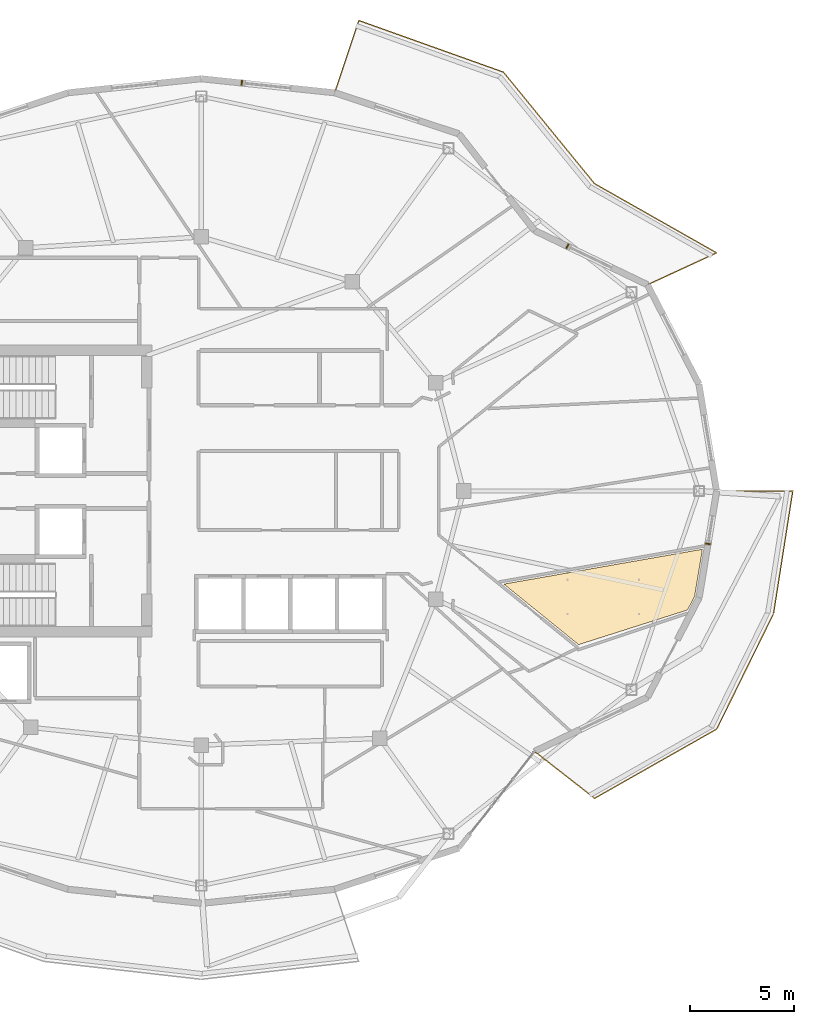
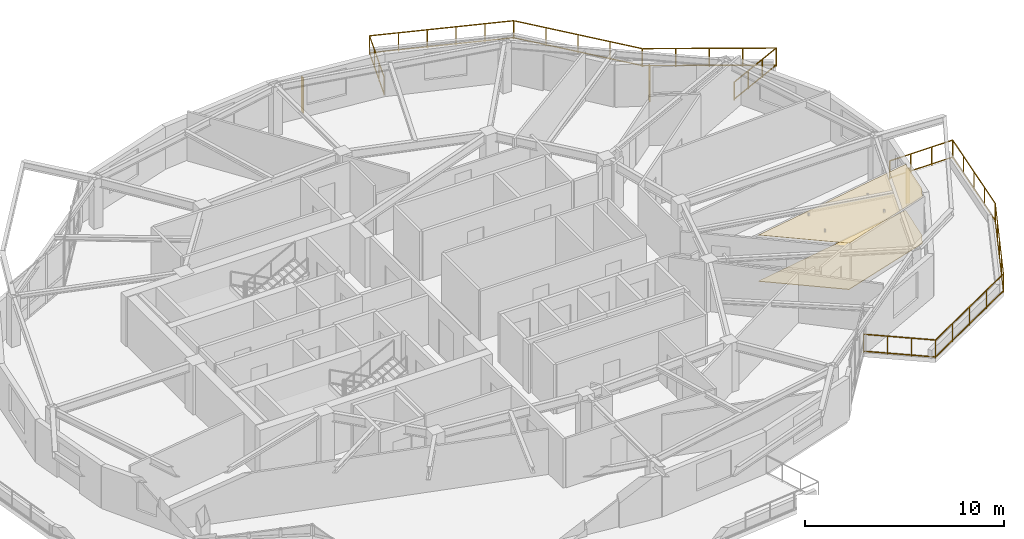
# One storey, part 16 of 16: 3 shading devices, 2 coverings, 2 railings.
"""IFC4 building model written with IfcOpenShell, lengths in metres."""

from ifc_helpers import new_model, si_unit, direction, frame, origin, origin_2d, place, context, subcontext, project, spatial, polyline, rectangle, outline, extrude, material, layer, layer_set, type_object, element, save


model = new_model("IFC4")

# Units and contexts
model_context = context("Model", 3, precision=1e-05, world=origin(), true_north=direction((0.0, 1.0)))
body_context = subcontext(model_context, "Body", "Model", "MODEL_VIEW")
ifc_project = project(units=[si_unit("LENGTHUNIT", "METRE"), si_unit("AREAUNIT", "SQUARE_METRE"), si_unit("VOLUMEUNIT", "CUBIC_METRE"), si_unit("PLANEANGLEUNIT", "RADIAN"), si_unit("MASSUNIT", "GRAM", prefix="KILO")], contexts=[model_context])

# Site, building, storey
site_placement = place(None, origin())
site = spatial("IfcSite", under=ifc_project, at=site_placement, CompositionType="ELEMENT")
building_placement = place(site_placement, origin())
building = spatial("IfcBuilding", under=site, at=building_placement, Name="Kolvaren Gate Tower and Convention Centre", CompositionType="ELEMENT")
storey_placement = place(building_placement, frame((0.0, 0.0, 219.5)))
storey = spatial("IfcBuildingStorey", under=building, at=storey_placement, Name="L58", CompositionType="ELEMENT", Elevation=219.5)

# Coverings
ifc_material_1 = material(Name="Perforated Mineral-Fibre Acoustic Ceiling Tile 18 mm", Category="gypsum")
ifc_layer_1 = layer(ifc_material_1, 0.01806640625)
ifc_layer_set_1 = layer_set([ifc_layer_1], Name="Perforated Mineral-Fibre Acoustic Ceiling Tile 18 mm")
covering_type_1 = type_object("IfcCoveringType", Name="ARCH-COV-CEIL-18", PredefinedType="CEILING", material=ifc_layer_set_1)
covering_1_placement = place(storey_placement, frame((0.0, 0.0, 2.85009765625)))
element("IfcCovering", 1, at=covering_1_placement, inside=storey, type_object=covering_type_1, Name="Resident Sauna and Wellness Spa Acoustic Suspended Ceiling", PredefinedType="CEILING", context=body_context, shape_type="SweptSolid", body=[
    extrude(outline(polyline([(48.2470703125, 19.6220703125), (44.657958984375, 22.530029296875), (54.19189453125, 24.2041015625), (53.820068359375, 21.946044921875), (53.47900390625, 21.2880859375), (48.2470703125, 19.6220703125)])), origin(), (0.0, 0.0, 1.0), 0.017822265625),
])
ifc_material_2 = material(Name="Honed Sabana Limestone Terrazzo Flooring 30 mm", Category="masonry")
ifc_layer_2 = layer(ifc_material_2, 0.030029296875)
ifc_layer_set_2 = layer_set([ifc_layer_2], Name="Honed Sabana Limestone Terrazzo Flooring 30 mm")
covering_type_2 = type_object("IfcCoveringType", Name="ARCH-COV-FLR-30", PredefinedType="FLOORING", material=ifc_layer_set_2)
covering_2_placement = place(storey_placement, origin())
element("IfcCovering", 2, at=covering_2_placement, inside=storey, type_object=covering_type_2, Name="Resident Sauna and Wellness Spa Interior Finish Flooring", PredefinedType="FLOORING", context=body_context, shape_type="SweptSolid", body=[
    extrude(outline(polyline([(48.2470703125, 19.6220703125), (44.657958984375, 22.530029296875), (54.19189453125, 24.2041015625), (53.820068359375, 21.946044921875), (53.47900390625, 21.2880859375), (48.2470703125, 19.6220703125)])), origin(), (0.0, 0.0, 1.0), 0.030029296875),
])

# Railings
ifc_material_3 = material(Name="Brushed Stainless Steel Grade 316L", Category="steel")
railing_type = type_object("IfcRailingType", Name="ARCH-RL-GUARD-1150", PredefinedType="GUARDRAIL", material=ifc_material_3)
railing_1_placement = place(storey_placement, frame((51.55908203125, 36.89990234375, 0.0)))
element("IfcRailing", 3, at=railing_1_placement, inside=storey, type_object=railing_type, Name="Tower L58 Terrace Perimeter Guardrail GR-1", PredefinedType="GUARDRAIL", context=body_context, shape_type="SweptSolid", body=[
    extrude(rectangle(XDim=0.048095703125, YDim=0.048095703125, at=origin_2d()), frame((0.025390625, 0.01171875, 1.1259765625), z_axis=(0.907820723829, 0.419358478377, 0.0), x_axis=(-0.419358478377, 0.907820723829, 0.0)), (0.0, 0.0, 1.0), 3.60400390625),
    extrude(rectangle(XDim=0.048095703125, YDim=0.048095703125, at=origin_2d()), frame((0.025390625, 0.01171875, 0.083984375), z_axis=(0.907820723829, 0.419358478377, 0.0), x_axis=(-0.419358478377, 0.907820723829, 0.0)), (0.0, 0.0, 1.0), 3.60400390625),
    extrude(rectangle(XDim=0.048095703125, YDim=0.048095703125, at=origin_2d()), frame((3.29833984375, 1.548828125, 1.1259765625), z_axis=(-0.869876155964, 0.493270182846, 0.0), x_axis=(-0.493270182846, -0.869876155964, 0.0)), (0.0, 0.0, 1.0), 6.6865234375),
    extrude(rectangle(XDim=0.048095703125, YDim=0.048095703125, at=origin_2d()), frame((3.29833984375, 1.548828125, 0.083984375), z_axis=(-0.869876155964, 0.493270182846, 0.0), x_axis=(-0.493270182846, -0.869876155964, 0.0)), (0.0, 0.0, 1.0), 6.6865234375),
    extrude(rectangle(XDim=0.048095703125, YDim=0.048095703125, at=origin_2d()), frame((-2.560302734375, 4.882568359375, 1.1259765625), z_axis=(-0.632718487063, 0.77438189295, 0.0), x_axis=(-0.77438189295, -0.632718487063, 0.0)), (0.0, 0.0, 1.0), 6.858154296875),
    extrude(rectangle(XDim=0.048095703125, YDim=0.048095703125, at=origin_2d()), frame((-2.560302734375, 4.882568359375, 0.083984375), z_axis=(-0.632718487063, 0.77438189295, 0.0), x_axis=(-0.77438189295, -0.632718487063, 0.0)), (0.0, 0.0, 1.0), 6.858154296875),
    extrude(rectangle(XDim=0.048095703125, YDim=0.048095703125, at=origin_2d()), frame((-6.943603515625, 10.224609375, 1.1259765625), z_axis=(-0.941783827204, 0.336219010197, 0.0), x_axis=(-0.336219010197, -0.941783827204, 0.0)), (0.0, 0.0, 1.0), 7.322265625),
    extrude(rectangle(XDim=0.048095703125, YDim=0.048095703125, at=origin_2d()), frame((-6.943603515625, 10.224609375, 0.083984375), z_axis=(-0.941783827204, 0.336219010197, 0.0), x_axis=(-0.336219010197, -0.941783827204, 0.0)), (0.0, 0.0, 1.0), 7.322265625),
    extrude(rectangle(XDim=0.048095703125, YDim=0.048095703125, at=origin_2d()), frame((-13.874755859375, 12.669189453125, 1.1259765625), z_axis=(-0.317588247294, -0.948228719867, 0.0), x_axis=(0.948228719867, -0.317588247294, 0.0)), (0.0, 0.0, 1.0), 3.603759765625),
    extrude(rectangle(XDim=0.048095703125, YDim=0.048095703125, at=origin_2d()), frame((-13.874755859375, 12.669189453125, 0.083984375), z_axis=(-0.317588247294, -0.948228719867, 0.0), x_axis=(0.948228719867, -0.317588247294, 0.0)), (0.0, 0.0, 1.0), 3.603759765625),
    extrude(rectangle(XDim=0.0419921875, YDim=0.0419921875, at=origin_2d()), origin(), (0.0, 0.0, 1.0), 1.14990234375),
    extrude(rectangle(XDim=0.0419921875, YDim=0.0419921875, at=origin_2d()), frame((3.32275390625, 1.534912109375, 0.0)), (0.0, 0.0, 1.0), 1.14990234375),
    extrude(rectangle(XDim=0.0419921875, YDim=0.0419921875, at=origin_2d()), frame((1.107666015625, 0.51171875, 0.0)), (0.0, 0.0, 1.0), 1.099853515625),
    extrude(rectangle(XDim=0.0419921875, YDim=0.0419921875, at=origin_2d()), frame((2.215087890625, 1.023193359375, 0.0)), (0.0, 0.0, 1.0), 1.099853515625),
    extrude(rectangle(XDim=0.0419921875, YDim=0.0419921875, at=origin_2d()), frame((-2.54248046875, 4.86083984375, 0.0)), (0.0, 0.0, 1.0), 1.14990234375),
    extrude(rectangle(XDim=0.0419921875, YDim=0.0419921875, at=origin_2d()), frame((1.8564453125, 2.366455078125, 0.0)), (0.0, 0.0, 1.0), 1.099853515625),
    extrude(rectangle(XDim=0.0419921875, YDim=0.0419921875, at=origin_2d()), frame((0.39013671875, 3.19775390625, 0.0)), (0.0, 0.0, 1.0), 1.099853515625),
    extrude(rectangle(XDim=0.0419921875, YDim=0.0419921875, at=origin_2d()), frame((-1.076171875, 4.029296875, 0.0)), (0.0, 0.0, 1.0), 1.099853515625),
    extrude(rectangle(XDim=0.0419921875, YDim=0.0419921875, at=origin_2d()), frame((-6.917236328125, 10.215087890625, 0.0)), (0.0, 0.0, 1.0), 1.14990234375),
    extrude(rectangle(XDim=0.0419921875, YDim=0.0419921875, at=origin_2d()), frame((-3.63623046875, 6.199462890625, 0.0)), (0.0, 0.0, 1.0), 1.099853515625),
    extrude(rectangle(XDim=0.0419921875, YDim=0.0419921875, at=origin_2d()), frame((-4.72998046875, 7.5380859375, 0.0)), (0.0, 0.0, 1.0), 1.099853515625),
    extrude(rectangle(XDim=0.0419921875, YDim=0.0419921875, at=origin_2d()), frame((-5.823486328125, 8.87646484375, 0.0)), (0.0, 0.0, 1.0), 1.099853515625),
    extrude(rectangle(XDim=0.0419921875, YDim=0.0419921875, at=origin_2d()), frame((-13.865966796875, 12.69580078125, 0.0)), (0.0, 0.0, 1.0), 1.14990234375),
    extrude(rectangle(XDim=0.0419921875, YDim=0.0419921875, at=origin_2d()), frame((-8.306884765625, 10.711181640625, 0.0)), (0.0, 0.0, 1.0), 1.099853515625),
    extrude(rectangle(XDim=0.0419921875, YDim=0.0419921875, at=origin_2d()), frame((-9.69677734375, 11.207275390625, 0.0)), (0.0, 0.0, 1.0), 1.099853515625),
    extrude(rectangle(XDim=0.0419921875, YDim=0.0419921875, at=origin_2d()), frame((-11.08642578125, 11.70361328125, 0.0)), (0.0, 0.0, 1.0), 1.099853515625),
    extrude(rectangle(XDim=0.0419921875, YDim=0.0419921875, at=origin_2d()), frame((-12.476318359375, 12.19970703125, 0.0)), (0.0, 0.0, 1.0), 1.099853515625),
    extrude(rectangle(XDim=0.0419921875, YDim=0.0419921875, at=origin_2d()), frame((-15.0283203125, 9.225341796875, 0.0)), (0.0, 0.0, 1.0), 1.14990234375),
    extrude(rectangle(XDim=0.0419921875, YDim=0.0419921875, at=origin_2d()), frame((-14.25341796875, 11.5390625, 0.0)), (0.0, 0.0, 1.0), 1.099853515625),
    extrude(rectangle(XDim=0.0419921875, YDim=0.0419921875, at=origin_2d()), frame((-14.640869140625, 10.382080078125, 0.0)), (0.0, 0.0, 1.0), 1.099853515625),
])
railing_2_placement = place(storey_placement, frame((46.132568359375, 14.49267578125, 0.0)))
element("IfcRailing", 4, at=railing_2_placement, inside=storey, type_object=railing_type, Name="Tower L58 Terrace Perimeter Guardrail GR-4", PredefinedType="GUARDRAIL", context=body_context, shape_type="SweptSolid", body=[
    extrude(rectangle(XDim=0.048095703125, YDim=0.048095703125, at=origin_2d()), frame((0.022216796875, -0.017333984375, 1.1259765625), z_axis=(0.787988976981, -0.61568934712, 0.0), x_axis=(0.61568934712, 0.787988976981, 0.0)), (0.0, 0.0, 1.0), 3.60400390625),
    extrude(rectangle(XDim=0.048095703125, YDim=0.048095703125, at=origin_2d()), frame((0.022216796875, -0.017333984375, 0.083984375), z_axis=(0.787988976981, -0.61568934712, 0.0), x_axis=(0.61568934712, 0.787988976981, 0.0)), (0.0, 0.0, 1.0), 3.60400390625),
    extrude(rectangle(XDim=0.048095703125, YDim=0.048095703125, at=origin_2d()), frame((2.908447265625, -2.239501953125, 1.1259765625), z_axis=(0.869876155964, 0.493270182846, 0.0), x_axis=(-0.493270182846, 0.869876155964, 0.0)), (0.0, 0.0, 1.0), 6.6865234375),
    extrude(rectangle(XDim=0.048095703125, YDim=0.048095703125, at=origin_2d()), frame((2.908447265625, -2.239501953125, 0.083984375), z_axis=(0.869876155964, 0.493270182846, 0.0), x_axis=(-0.493270182846, 0.869876155964, 0.0)), (0.0, 0.0, 1.0), 6.6865234375),
    extrude(rectangle(XDim=0.048095703125, YDim=0.048095703125, at=origin_2d()), frame((8.76171875, 1.09765625, 1.1259765625), z_axis=(0.441625304244, 0.897199582396, 0.0), x_axis=(-0.897199582396, 0.441625304244, 0.0)), (0.0, 0.0, 1.0), 6.122314453125),
    extrude(rectangle(XDim=0.048095703125, YDim=0.048095703125, at=origin_2d()), frame((8.76171875, 1.09765625, 0.083984375), z_axis=(0.441625304244, 0.897199582396, 0.0), x_axis=(-0.897199582396, 0.441625304244, 0.0)), (0.0, 0.0, 1.0), 6.122314453125),
    extrude(rectangle(XDim=0.048095703125, YDim=0.048095703125, at=origin_2d()), frame((11.482177734375, 6.643310546875, 1.1259765625), z_axis=(0.155031225865, 0.987909570258, 0.0), x_axis=(-0.987909570258, 0.155031225865, 0.0)), (0.0, 0.0, 1.0), 5.90771484375),
    extrude(rectangle(XDim=0.048095703125, YDim=0.048095703125, at=origin_2d()), frame((11.482177734375, 6.643310546875, 0.083984375), z_axis=(0.155031225865, 0.987909570258, 0.0), x_axis=(-0.987909570258, 0.155031225865, 0.0)), (0.0, 0.0, 1.0), 5.90771484375),
    extrude(rectangle(XDim=0.048095703125, YDim=0.048095703125, at=origin_2d()), frame((12.374267578125, 12.50732421875, 1.1259765625), z_axis=(-1.0, 0.0, 0.0), x_axis=(0.0, -1.0, 0.0)), (0.0, 0.0, 1.0), 3.603759765625),
    extrude(rectangle(XDim=0.048095703125, YDim=0.048095703125, at=origin_2d()), frame((12.374267578125, 12.50732421875, 0.083984375), z_axis=(-1.0, 0.0, 0.0), x_axis=(0.0, -1.0, 0.0)), (0.0, 0.0, 1.0), 3.603759765625),
    extrude(rectangle(XDim=0.0419921875, YDim=0.0419921875, at=origin_2d()), origin(), (0.0, 0.0, 1.0), 1.14990234375),
    extrude(rectangle(XDim=0.0419921875, YDim=0.0419921875, at=origin_2d()), frame((2.884033203125, -2.25341796875, 0.0)), (0.0, 0.0, 1.0), 1.14990234375),
    extrude(rectangle(XDim=0.0419921875, YDim=0.0419921875, at=origin_2d()), frame((0.96142578125, -0.751220703125, 0.0)), (0.0, 0.0, 1.0), 1.099853515625),
    extrude(rectangle(XDim=0.0419921875, YDim=0.0419921875, at=origin_2d()), frame((1.922607421875, -1.502197265625, 0.0)), (0.0, 0.0, 1.0), 1.099853515625),
    extrude(rectangle(XDim=0.0419921875, YDim=0.0419921875, at=origin_2d()), frame((8.749267578125, 1.072509765625, 0.0)), (0.0, 0.0, 1.0), 1.14990234375),
    extrude(rectangle(XDim=0.0419921875, YDim=0.0419921875, at=origin_2d()), frame((4.350341796875, -1.421875, 0.0)), (0.0, 0.0, 1.0), 1.099853515625),
    extrude(rectangle(XDim=0.0419921875, YDim=0.0419921875, at=origin_2d()), frame((5.816650390625, -0.59033203125, 0.0)), (0.0, 0.0, 1.0), 1.099853515625),
    extrude(rectangle(XDim=0.0419921875, YDim=0.0419921875, at=origin_2d()), frame((7.282958984375, 0.240966796875, 0.0)), (0.0, 0.0, 1.0), 1.099853515625),
    extrude(rectangle(XDim=0.0419921875, YDim=0.0419921875, at=origin_2d()), frame((11.477783203125, 6.61572265625, 0.0)), (0.0, 0.0, 1.0), 1.14990234375),
    extrude(rectangle(XDim=0.0419921875, YDim=0.0419921875, at=origin_2d()), frame((9.431396484375, 2.458251953125, 0.0)), (0.0, 0.0, 1.0), 1.099853515625),
    extrude(rectangle(XDim=0.0419921875, YDim=0.0419921875, at=origin_2d()), frame((10.113525390625, 3.84423828125, 0.0)), (0.0, 0.0, 1.0), 1.099853515625),
    extrude(rectangle(XDim=0.0419921875, YDim=0.0419921875, at=origin_2d()), frame((10.795654296875, 5.22998046875, 0.0)), (0.0, 0.0, 1.0), 1.099853515625),
    extrude(rectangle(XDim=0.0419921875, YDim=0.0419921875, at=origin_2d()), frame((12.40234375, 12.50732421875, 0.0)), (0.0, 0.0, 1.0), 1.14990234375),
    extrude(rectangle(XDim=0.0419921875, YDim=0.0419921875, at=origin_2d()), frame((11.708984375, 8.088623046875, 0.0)), (0.0, 0.0, 1.0), 1.099853515625),
    extrude(rectangle(XDim=0.0419921875, YDim=0.0419921875, at=origin_2d()), frame((11.93994140625, 9.5615234375, 0.0)), (0.0, 0.0, 1.0), 1.099853515625),
    extrude(rectangle(XDim=0.0419921875, YDim=0.0419921875, at=origin_2d()), frame((12.171142578125, 11.034423828125, 0.0)), (0.0, 0.0, 1.0), 1.099853515625),
    extrude(rectangle(XDim=0.0419921875, YDim=0.0419921875, at=origin_2d()), frame((8.742431640625, 12.50732421875, 0.0)), (0.0, 0.0, 1.0), 1.14990234375),
    extrude(rectangle(XDim=0.0419921875, YDim=0.0419921875, at=origin_2d()), frame((11.182373046875, 12.50732421875, 0.0)), (0.0, 0.0, 1.0), 1.099853515625),
    extrude(rectangle(XDim=0.0419921875, YDim=0.0419921875, at=origin_2d()), frame((9.96240234375, 12.50732421875, 0.0)), (0.0, 0.0, 1.0), 1.099853515625),
])

# Shading devices
ifc_material_4 = material(Name="Kiln-Fired Bogota Terracotta Ceramic Louvre Profile", Category="masonry")
shading_device_type = type_object("IfcShadingDeviceType", Name="ARCH-SHD-FIN-180", PredefinedType="JALOUSIE", material=ifc_material_4)
for number, where, z_axis, x_axis, name in (
    (5, (47.7099609375, 38.74951171875, 0.219970703125), (0.0, 0.0, 1.0), (0.90135914581, -0.433072384555, 0.0), "Ceramic Vertical Brise-Soleil Fin FN-L58-02"),
    (6, (32.0751953125, 46.594482421875, 0.219970703125), (0.0, 0.0, 1.0), (0.994498884311, -0.104747167526, 0.0), "Ceramic Vertical Brise-Soleil Fin FN-L58-05"),
    (7, (54.45703125, 24.460693359375, 0.219970703125), (0.0, 0.0, 1.0), (0.162375401515, 0.986729055508, 0.0), "Ceramic Vertical Brise-Soleil Fin FN-L58-23"),
):
    element("IfcShadingDevice", number, at=place(storey_placement, frame(where, z_axis=z_axis, x_axis=x_axis)), inside=storey, type_object=shading_device_type, Name=name, PredefinedType="JALOUSIE", context=body_context, shape_type="SweptSolid", body=[
        extrude(rectangle(XDim=0.06005859375, YDim=0.239990234375, at=origin_2d()), origin(), (0.0, 0.0, 1.0), 2.14990234375),
    ])

save(model, "model.ifc")
